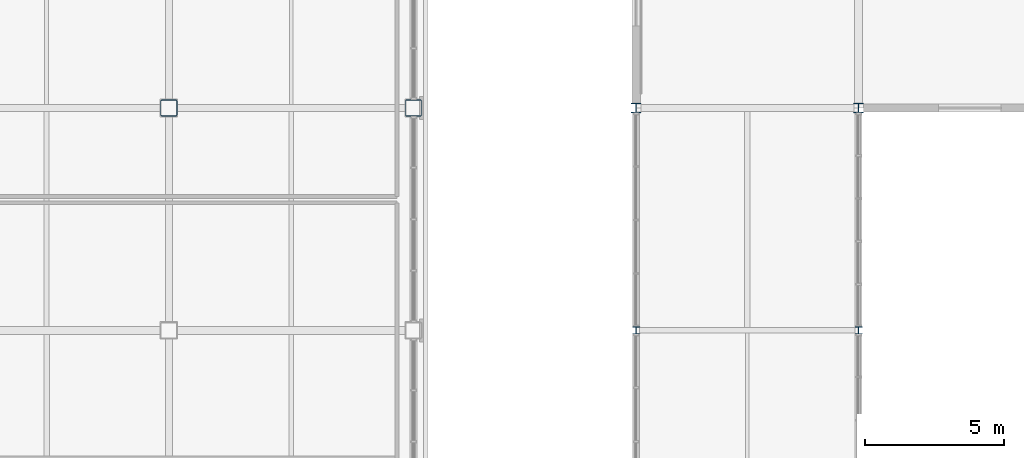
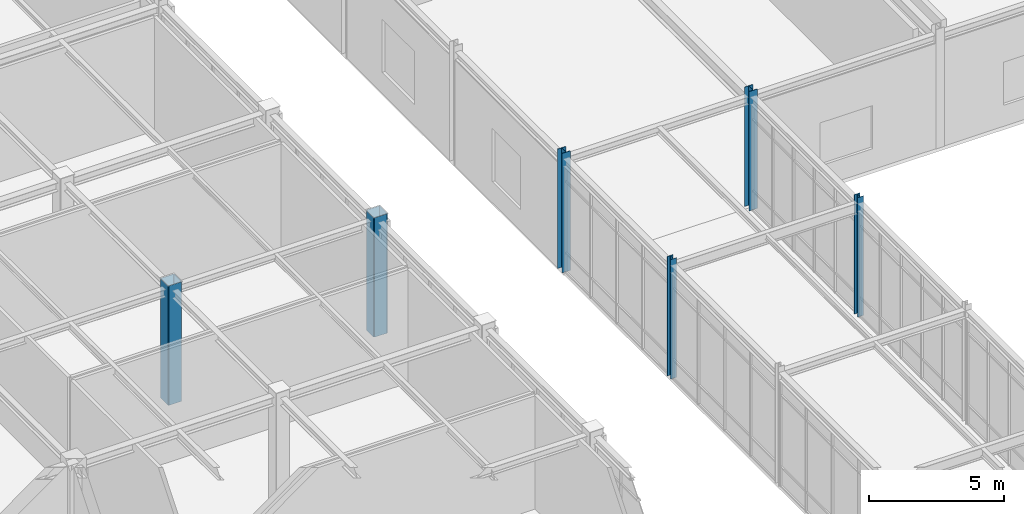
# One storey, part 5 of 108: 6 columns.
"""IFC4 building model written with IfcOpenShell, lengths in metres."""

from ifc_helpers import new_model, si_unit, direction, frame, origin, origin_2d, place, context, subcontext, project, spatial, hollow_rectangle, i_section, extrude, material, material_profile, profile_set, type_object, element, save


model = new_model("IFC4")

# Units and contexts
model_context = context("Model", 3, precision=1e-05, world=origin(), true_north=direction((0.0, 1.0)))
body_context = subcontext(model_context, "Body", "Model", "MODEL_VIEW")
ifc_project = project(units=[si_unit("LENGTHUNIT", "METRE"), si_unit("AREAUNIT", "SQUARE_METRE"), si_unit("VOLUMEUNIT", "CUBIC_METRE"), si_unit("PLANEANGLEUNIT", "RADIAN"), si_unit("MASSUNIT", "GRAM", prefix="KILO")], contexts=[model_context])

# Site, building, storey
site_placement = place(None, origin())
site = spatial("IfcSite", under=ifc_project, at=site_placement, CompositionType="ELEMENT")
building_placement = place(site_placement, origin())
building = spatial("IfcBuilding", under=site, at=building_placement, Name="Zhaolan Boulevard Law Courts", CompositionType="ELEMENT")
storey_placement = place(building_placement, frame((0.0, 0.0, 10.800048828125)))
storey = spatial("IfcBuildingStorey", under=building, at=storey_placement, Name="L02", CompositionType="ELEMENT", Elevation=10.800048828125)

# Columns
ifc_material_1 = material(Name="Structural steel Q390B", Category="steel")
ifc_material_profile_1 = material_profile(ifc_material_1, hollow_rectangle(XDim=0.60009765625, YDim=0.60009765625, WallThickness=0.02392578125, InnerFilletRadius=0.02392578125, OuterFilletRadius=0.048095703125, at=origin_2d()), Name="BOX600x600x24")
ifc_profile_set_1 = profile_set([ifc_material_profile_1], Name="Structural steel Q390B")
column_type_1 = type_object("IfcColumnType", Name="COL BOX600", PredefinedType="COLUMN", material=ifc_profile_set_1)
for number, where, z_axis, x_axis, name in (
    (1, (35.199951171875, 62.0, 0.0), (0.0, 0.0, 1.0), (1.0, 0.0, 0.0), "Column C-5J (L02)"),
    (2, (44.0, 62.0, 0.0), (0.0, 0.0, 1.0), (1.0, 0.0, 0.0), "Column C-6J (L02)"),
):
    element("IfcColumn", number, at=place(storey_placement, frame(where, z_axis=z_axis, x_axis=x_axis)), inside=storey, type_object=column_type_1, Name=name, PredefinedType="COLUMN", context=body_context, shape_type="SweptSolid", body=[
        extrude(hollow_rectangle(XDim=0.60009765625, YDim=0.60009765625, WallThickness=0.02392578125, InnerFilletRadius=0.02392578125, OuterFilletRadius=0.048095703125, at=origin_2d()), origin(), (0.0, 0.0, 1.0), 5.39990234375),
    ])
ifc_material_2 = material(Name="Structural steel Q355B", Category="steel")
ifc_material_profile_2 = material_profile(ifc_material_2, i_section(OverallWidth=0.25, OverallDepth=0.25, WebThickness=0.009033203125, FlangeThickness=0.013916015625, FilletRadius=0.01611328125, at=origin_2d()), Name="HW250x250")
ifc_profile_set_2 = profile_set([ifc_material_profile_2], Name="Structural steel Q355B")
column_type_2 = type_object("IfcColumnType", Name="COL HW250", PredefinedType="COLUMN", material=ifc_profile_set_2)
for number, where, z_axis, x_axis, name in (
    (3, (52.0, 54.0, 0.0), (0.0, 0.0, 1.0), (1.0, 0.0, 0.0), "Column C-7H (L02)"),
    (4, (60.0, 54.0, 0.0), (0.0, 0.0, 1.0), (1.0, 0.0, 0.0), "Column C-8H (L02)"),
):
    element("IfcColumn", number, at=place(storey_placement, frame(where, z_axis=z_axis, x_axis=x_axis)), inside=storey, type_object=column_type_2, Name=name, PredefinedType="COLUMN", context=body_context, shape_type="SweptSolid", body=[
        extrude(i_section(OverallWidth=0.25, OverallDepth=0.25, WebThickness=0.009033203125, FlangeThickness=0.013916015625, FilletRadius=0.01611328125, at=origin_2d()), origin(), (0.0, 0.0, 1.0), 5.39990234375),
    ])
ifc_material_3 = material(Name="Structural steel Q355B", Category="steel")
ifc_material_profile_3 = material_profile(ifc_material_3, i_section(OverallWidth=0.35009765625, OverallDepth=0.35009765625, WebThickness=0.011962890625, FlangeThickness=0.01904296875, FilletRadius=0.02001953125, at=origin_2d()), Name="HW350x350")
ifc_profile_set_3 = profile_set([ifc_material_profile_3], Name="Structural steel Q355B")
column_type_3 = type_object("IfcColumnType", Name="COL HW350", PredefinedType="COLUMN", material=ifc_profile_set_3)
for number, where, z_axis, x_axis, name in (
    (5, (52.0, 62.0, 0.0), (0.0, 0.0, 1.0), (1.0, 0.0, 0.0), "Column C-7J (L02)"),
    (6, (60.0, 62.0, 0.0), (0.0, 0.0, 1.0), (1.0, 0.0, 0.0), "Column C-8J (L02)"),
):
    element("IfcColumn", number, at=place(storey_placement, frame(where, z_axis=z_axis, x_axis=x_axis)), inside=storey, type_object=column_type_3, Name=name, PredefinedType="COLUMN", context=body_context, shape_type="SweptSolid", body=[
        extrude(i_section(OverallWidth=0.35009765625, OverallDepth=0.35009765625, WebThickness=0.011962890625, FlangeThickness=0.01904296875, FilletRadius=0.02001953125, at=origin_2d()), origin(), (0.0, 0.0, 1.0), 5.39990234375),
    ])

save(model, "model.ifc")
